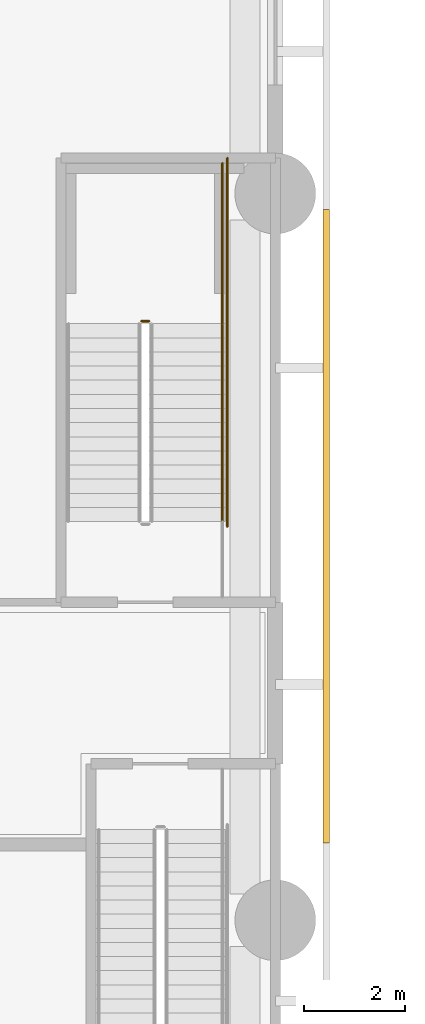
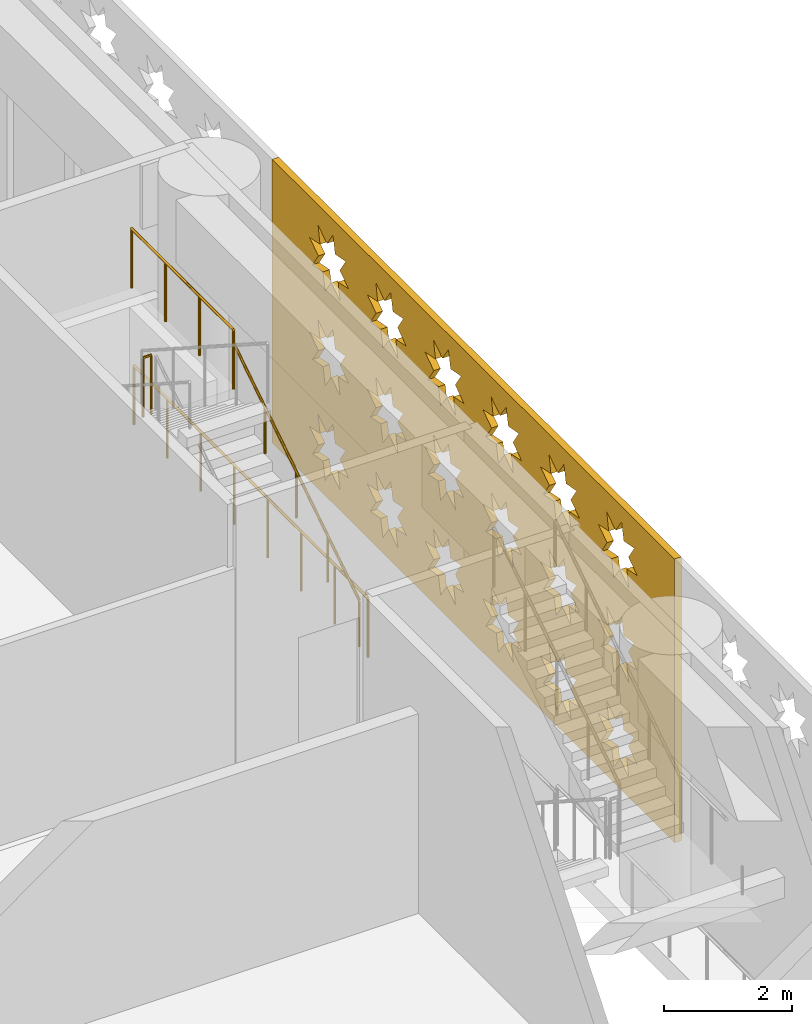
# One storey, part 23 of 30: 4 railings, 1 covering.
"""IFC4 building model written with IfcOpenShell, lengths in metres."""

import ifcopenshell
import ifcopenshell.guid

model = None  # the IFC model being written
_history = None  # IfcOwnerHistory: only IFC2X3 demands one
_inside = {}  # id of a spatial element -> (the spatial element, [elements in it])
_under = {}  # id of a project, library or spatial element -> (it, [spatial elements below it])
_declared = {}  # id of a project -> (the project, [libraries it declares])
_typed = {}  # id of a type object -> (the type object, [elements of that type])
_made_of = {}  # id of a material, layer set ... -> (it, [elements and type objects made of it])


def new_model(schema):
    """Start an empty IFC model of exactly this schema.

    Asked for "IFC4X3", IfcOpenShell would pick the latest addendum, in which some entities
    have other attributes; the version numbers below select the first issue.
    IFC2X3 requires an IfcOwnerHistory on every rooted entity: one is made here for all.
    """
    global model, _history
    if schema == "IFC4X3":
        model = ifcopenshell.file(schema_version=(4, 3, 0, 0))
    else:
        model = ifcopenshell.file(schema=schema)
    _inside.clear()
    _under.clear()
    _declared.clear()
    _typed.clear()
    _made_of.clear()
    _history = None
    if model.schema == "IFC2X3":
        org = make("IfcOrganization", Name="unknown")
        user = make(
            "IfcPersonAndOrganization",
            ThePerson=make("IfcPerson", FamilyName="unknown"),
            TheOrganization=org,
        )
        app = make(
            "IfcApplication",
            ApplicationDeveloper=org,
            Version="unknown",
            ApplicationFullName="unknown",
            ApplicationIdentifier="unknown",
        )
        _history = make(
            "IfcOwnerHistory",
            OwningUser=user,
            OwningApplication=app,
            ChangeAction="ADDED",
            CreationDate=0,
        )
    return model


def make(cls, **values):
    """One entity of the class cls with the attributes given. An attribute that is None is left unset."""
    return model.create_entity(
        cls, **{name: value for name, value in values.items() if value is not None}
    )


def rooted(cls, **values):
    """An entity with a GlobalId (a new one), such as an element, a storey or a relation."""
    return make(cls, GlobalId=ifcopenshell.guid.new(), OwnerHistory=_history, **values)


def si_unit(unit_type, name, prefix=None):
    """IfcSIUnit, for example si_unit("LENGTHUNIT", "METRE", prefix="MILLI")."""
    return make("IfcSIUnit", UnitType=unit_type, Prefix=prefix, Name=name)


def assignment(units):
    """IfcUnitAssignment: the units of a project."""
    return None if units is None else make("IfcUnitAssignment", Units=units)


def point(xyz):
    """IfcCartesianPoint."""
    return None if xyz is None else make("IfcCartesianPoint", Coordinates=xyz)


def direction(xyz):
    """IfcDirection."""
    return None if xyz is None else make("IfcDirection", DirectionRatios=xyz)


def frame(location, z_axis=None, x_axis=None):
    """IfcAxis2Placement3D, a coordinate frame: its origin and axes. An axis left out is left unset."""
    return make(
        "IfcAxis2Placement3D",
        Location=point(location),
        Axis=direction(z_axis),
        RefDirection=direction(x_axis),
    )


def frame_2d(location, x_axis=None):
    """IfcAxis2Placement2D, a coordinate frame in the plane: its origin and x axis."""
    return make(
        "IfcAxis2Placement2D", Location=point(location), RefDirection=direction(x_axis)
    )


def origin():
    """The frame at (0, 0, 0) with its axes left unset."""
    return frame((0.0, 0.0, 0.0))


def origin_2d():
    """The frame at (0, 0) in the plane with its x axis left unset."""
    return frame_2d((0.0, 0.0))


def place(relative_to, where):
    """IfcLocalPlacement: puts the frame where relative to a parent placement (None: the world)."""
    return make(
        "IfcLocalPlacement", PlacementRelTo=relative_to, RelativePlacement=where
    )


def context(
    kind, dimensions, precision=None, world=None, true_north=None, identifier=None
):
    """IfcGeometricRepresentationContext, for example the 3D "Model" context."""
    return make(
        "IfcGeometricRepresentationContext",
        ContextIdentifier=identifier,
        ContextType=kind,
        CoordinateSpaceDimension=dimensions,
        Precision=precision,
        WorldCoordinateSystem=world,
        TrueNorth=true_north,
    )


def subcontext(parent, identifier, kind, view, scale=None):
    """IfcGeometricRepresentationSubContext, for example "Body" below "Model"."""
    return make(
        "IfcGeometricRepresentationSubContext",
        ContextIdentifier=identifier,
        ContextType=kind,
        ParentContext=parent,
        TargetScale=scale,
        TargetView=view,
    )


def project(units=None, contexts=None):
    """IfcProject with its units and contexts."""
    return rooted(
        "IfcProject",
        Name="project",
        RepresentationContexts=contexts,
        UnitsInContext=assignment(units),
    )


def spatial(cls, under=None, at=None, **own):
    """A site, building, storey or space (cls), placed at a placement, below another one or the project."""
    s = rooted(cls, ObjectPlacement=at, **own)
    if under is not None:
        _under.setdefault(under.id(), (under, []))[1].append(s)
    return s


def polyline(points):
    """IfcPolyline through the points."""
    return make("IfcPolyline", Points=[point(p) for p in points])


def profile(cls, at=None, kind="AREA", **sizes):
    """A parametric profile (cls). Its sizes go by their IFC names, for example OverallWidth=200.0."""
    return make(cls, ProfileType=kind, Position=at, **sizes)


def circle(**sizes):
    """IfcCircleProfileDef."""
    return profile("IfcCircleProfileDef", **sizes)


def outline(outer, holes=None, kind="AREA"):
    """IfcArbitraryClosedProfileDef: a profile drawn as a closed curve; with holes, ...WithVoids."""
    if holes is None:
        return make("IfcArbitraryClosedProfileDef", ProfileType=kind, OuterCurve=outer)
    return make(
        "IfcArbitraryProfileDefWithVoids",
        ProfileType=kind,
        OuterCurve=outer,
        InnerCurves=holes,
    )


def extrude(swept, where, along, depth):
    """IfcExtrudedAreaSolid: the profile swept, set in the frame where, extruded along a direction by depth."""
    return make(
        "IfcExtrudedAreaSolid",
        SweptArea=swept,
        Position=where,
        ExtrudedDirection=direction(along),
        Depth=depth,
    )


def shape(context_of_items, identifier, shape_type, items):
    """IfcShapeRepresentation: the items that make up one representation, for example the "Body"."""
    return make(
        "IfcShapeRepresentation",
        ContextOfItems=context_of_items,
        RepresentationIdentifier=identifier,
        RepresentationType=shape_type,
        Items=items,
    )


def material(Name=None, Category=None):
    """IfcMaterial."""
    return make("IfcMaterial", Name=Name, Category=Category)


def layer(
    of_material, thickness, ventilated=None, Name=None, Category=None, Priority=None
):
    """IfcMaterialLayer: one layer of a wall or slab, of a material (None: an air gap)."""
    return make(
        "IfcMaterialLayer",
        Material=of_material,
        LayerThickness=thickness,
        IsVentilated=ventilated,
        Name=Name,
        Category=Category,
        Priority=Priority,
    )


def layer_set(layers, Name=None):
    """IfcMaterialLayerSet."""
    return make("IfcMaterialLayerSet", MaterialLayers=layers, LayerSetName=Name)


def made_of(thing, what):
    """Note that an element or type object is made of a material, layer set ...; save() writes the relation."""
    if what is not None:
        _made_of.setdefault(what.id(), (what, []))[1].append(thing)
    return thing


def type_object(cls, material=None, **own):
    """A type object (cls), such as IfcWallType, which elements share."""
    return made_of(rooted(cls, **own), material)


def element(
    cls,
    number,
    at=None,
    inside=None,
    cuts=None,
    type_object=None,
    material=None,
    context=None,
    identifier="Body",
    shape_type=None,
    held_by="IfcProductDefinitionShape",
    body=None,
    shapes=None,
    **own,
):
    """One element of the class cls, such as IfcWall. Its Tag is "e" and its number.

    at: its placement. inside: the storey or other place that contains it. cuts: it is an
    opening in that element (IfcRelVoidsElement). A single representation is given by context,
    identifier, shape_type and body (its items); several are given by shapes. held_by: the class
    of the entity that holds the representations. save() writes the other relations.
    """
    e = rooted(cls, Tag="e%d" % number, ObjectPlacement=at, **own)
    if body is not None:
        shapes = [shape(context, identifier, shape_type, body)]
    if shapes is not None:
        e.Representation = make(held_by, Representations=shapes)
    if inside is not None:
        _inside.setdefault(inside.id(), (inside, []))[1].append(e)
    if cuts is not None:
        rooted(
            "IfcRelVoidsElement", RelatingBuildingElement=cuts, RelatedOpeningElement=e
        )
    if type_object is not None:
        _typed.setdefault(type_object.id(), (type_object, []))[1].append(e)
    return made_of(e, material)


def aggregate(whole, parts):
    """IfcRelAggregates: a whole, such as a stair, and the parts it consists of."""
    return rooted("IfcRelAggregates", RelatingObject=whole, RelatedObjects=parts)


def save(model, path):
    """Write the relations noted so far, then the file.

    IfcRelAggregates (storeys below a building ...), IfcRelContainedInSpatialStructure (elements
    in a storey), IfcRelDefinesByType, IfcRelAssociatesMaterial and IfcRelDeclares: one each for
    every whole, place, type object, material and project.
    """
    for whole, parts in _under.values():
        aggregate(whole, parts)
    for where, things in _inside.values():
        rooted(
            "IfcRelContainedInSpatialStructure",
            RelatedElements=things,
            RelatingStructure=where,
        )
    for kind, things in _typed.values():
        rooted("IfcRelDefinesByType", RelatedObjects=things, RelatingType=kind)
    for what, things in _made_of.values():
        rooted("IfcRelAssociatesMaterial", RelatedObjects=things, RelatingMaterial=what)
    for by, libraries in _declared.values():
        rooted("IfcRelDeclares", RelatingContext=by, RelatedDefinitions=libraries)
    model.write(path)


model = new_model("IFC4")

# Units and contexts
model_context = context("Model", 3, precision=1e-05, world=origin(), true_north=direction((0.0, 1.0)))
body_context = subcontext(model_context, "Body", "Model", "MODEL_VIEW")
ifc_project = project(units=[si_unit("LENGTHUNIT", "METRE"), si_unit("AREAUNIT", "SQUARE_METRE"), si_unit("VOLUMEUNIT", "CUBIC_METRE"), si_unit("PLANEANGLEUNIT", "RADIAN"), si_unit("MASSUNIT", "GRAM", prefix="KILO")], contexts=[model_context])

# Site, building, storey
site_placement = place(None, origin())
site = spatial("IfcSite", under=ifc_project, at=site_placement, CompositionType="ELEMENT")
building_placement = place(site_placement, origin())
building = spatial("IfcBuilding", under=site, at=building_placement, Name="Saffron Iwan Residences", CompositionType="ELEMENT")
storey_placement = place(building_placement, frame((0.0, 0.0, 7.800048828125)))
storey = spatial("IfcBuildingStorey", under=building, at=storey_placement, Name="L01", CompositionType="ELEMENT", Elevation=7.800048828125)

# Covering
ifc_material_1 = material(Name="Terracotta screen, precast concrete C40/50", Category="masonry")
ifc_layer = layer(ifc_material_1, 0.1201171875)
ifc_layer_set = layer_set([ifc_layer], Name="Terracotta screen, precast concrete C40/50")
covering_type = type_object("IfcCoveringType", Name="PODIUM SCREEN GIRIH", PredefinedType="CLADDING", material=ifc_layer_set)
covering_placement = place(storey_placement, frame((101.75, 49.532958984375, -0.400146484375), z_axis=(1.0, 0.0, 0.0), x_axis=(0.0, 1.0, 0.0)))
element("IfcCovering", 1, at=covering_placement, inside=storey, type_object=covering_type, Name="SCREEN girih terracotta L01 F1.4", PredefinedType="CLADDING", context=body_context, shape_type="SweptSolid", body=[
    extrude(outline(polyline([(0.0, 0.0), (12.545654296875, 0.0), (12.545654296875, 5.39990234375), (0.0, 5.39990234375), (0.0, 0.0)]), holes=[polyline([(2.380859375, 1.02099609375), (2.0556640625, 1.0888671875), (2.1171875, 1.41552734375), (1.839111328125, 1.2333984375), (1.65185546875, 1.508056640625), (1.583984375, 1.1826171875), (1.25732421875, 1.244384765625), (1.439453125, 0.96630859375), (1.164794921875, 0.779052734375), (1.490234375, 0.711181640625), (1.428466796875, 0.384521484375), (1.70654296875, 0.56640625), (1.893798828125, 0.2919921875), (1.9619140625, 0.6171875), (2.288330078125, 0.555419921875), (2.106201171875, 0.833740234375), (2.380859375, 1.02099609375)]), polyline([(2.380859375, 2.821044921875), (2.0556640625, 2.888916015625), (2.1171875, 3.215576171875), (1.839111328125, 3.033447265625), (1.65185546875, 3.30810546875), (1.583984375, 2.982666015625), (1.25732421875, 3.04443359375), (1.439453125, 2.766357421875), (1.164794921875, 2.5791015625), (1.490234375, 2.510986328125), (1.428466796875, 2.1845703125), (1.70654296875, 2.366455078125), (1.893798828125, 2.091796875), (1.9619140625, 2.417236328125), (2.288330078125, 2.35546875), (2.106201171875, 2.6337890625), (2.380859375, 2.821044921875)]), polyline([(2.380859375, 4.62109375), (2.0556640625, 4.68896484375), (2.1171875, 5.015380859375), (1.839111328125, 4.83349609375), (1.65185546875, 5.108154296875), (1.583984375, 4.78271484375), (1.25732421875, 4.844482421875), (1.439453125, 4.56640625), (1.164794921875, 4.37890625), (1.490234375, 4.31103515625), (1.428466796875, 3.984619140625), (1.70654296875, 4.16650390625), (1.893798828125, 3.891845703125), (1.9619140625, 4.21728515625), (2.288330078125, 4.155517578125), (2.106201171875, 4.43359375), (2.380859375, 4.62109375)]), polyline([(4.180908203125, 1.02099609375), (3.855712890625, 1.0888671875), (3.917236328125, 1.41552734375), (3.63916015625, 1.2333984375), (3.451904296875, 1.508056640625), (3.384033203125, 1.1826171875), (3.057373046875, 1.244384765625), (3.239501953125, 0.96630859375), (2.96484375, 0.779052734375), (3.290283203125, 0.711181640625), (3.228515625, 0.384521484375), (3.506591796875, 0.56640625), (3.69384765625, 0.2919921875), (3.76171875, 0.6171875), (4.08837890625, 0.555419921875), (3.90625, 0.833740234375), (4.180908203125, 1.02099609375)]), polyline([(4.180908203125, 2.821044921875), (3.855712890625, 2.888916015625), (3.917236328125, 3.215576171875), (3.63916015625, 3.033447265625), (3.451904296875, 3.30810546875), (3.384033203125, 2.982666015625), (3.057373046875, 3.04443359375), (3.239501953125, 2.766357421875), (2.96484375, 2.5791015625), (3.290283203125, 2.510986328125), (3.228515625, 2.1845703125), (3.506591796875, 2.366455078125), (3.69384765625, 2.091796875), (3.76171875, 2.417236328125), (4.08837890625, 2.35546875), (3.90625, 2.6337890625), (4.180908203125, 2.821044921875)]), polyline([(4.180908203125, 4.62109375), (3.855712890625, 4.68896484375), (3.917236328125, 5.015380859375), (3.63916015625, 4.83349609375), (3.451904296875, 5.108154296875), (3.384033203125, 4.78271484375), (3.057373046875, 4.844482421875), (3.239501953125, 4.56640625), (2.96484375, 4.37890625), (3.290283203125, 4.31103515625), (3.228515625, 3.984619140625), (3.506591796875, 4.16650390625), (3.69384765625, 3.891845703125), (3.76171875, 4.21728515625), (4.08837890625, 4.155517578125), (3.90625, 4.43359375), (4.180908203125, 4.62109375)]), polyline([(5.98095703125, 1.02099609375), (5.655517578125, 1.0888671875), (5.71728515625, 1.41552734375), (5.439208984375, 1.2333984375), (5.251953125, 1.508056640625), (5.18408203125, 1.1826171875), (4.857421875, 1.244384765625), (5.039306640625, 0.96630859375), (4.764892578125, 0.779052734375), (5.090087890625, 0.711181640625), (5.0283203125, 0.384521484375), (5.306396484375, 0.56640625), (5.493896484375, 0.2919921875), (5.561767578125, 0.6171875), (5.888427734375, 0.555419921875), (5.706298828125, 0.833740234375), (5.98095703125, 1.02099609375)]), polyline([(5.98095703125, 2.821044921875), (5.655517578125, 2.888916015625), (5.71728515625, 3.215576171875), (5.439208984375, 3.033447265625), (5.251953125, 3.30810546875), (5.18408203125, 2.982666015625), (4.857421875, 3.04443359375), (5.039306640625, 2.766357421875), (4.764892578125, 2.5791015625), (5.090087890625, 2.510986328125), (5.0283203125, 2.1845703125), (5.306396484375, 2.366455078125), (5.493896484375, 2.091796875), (5.561767578125, 2.417236328125), (5.888427734375, 2.35546875), (5.706298828125, 2.6337890625), (5.98095703125, 2.821044921875)]), polyline([(5.98095703125, 4.62109375), (5.655517578125, 4.68896484375), (5.71728515625, 5.015380859375), (5.439208984375, 4.83349609375), (5.251953125, 5.108154296875), (5.18408203125, 4.78271484375), (4.857421875, 4.844482421875), (5.039306640625, 4.56640625), (4.764892578125, 4.37890625), (5.090087890625, 4.31103515625), (5.0283203125, 3.984619140625), (5.306396484375, 4.16650390625), (5.493896484375, 3.891845703125), (5.561767578125, 4.21728515625), (5.888427734375, 4.155517578125), (5.706298828125, 4.43359375), (5.98095703125, 4.62109375)]), polyline([(7.781005859375, 1.02099609375), (7.45556640625, 1.0888671875), (7.517333984375, 1.41552734375), (7.2392578125, 1.2333984375), (7.052001953125, 1.508056640625), (6.98388671875, 1.1826171875), (6.6572265625, 1.244384765625), (6.83935546875, 0.96630859375), (6.564697265625, 0.779052734375), (6.89013671875, 0.711181640625), (6.828369140625, 0.384521484375), (7.1064453125, 0.56640625), (7.293701171875, 0.2919921875), (7.36181640625, 0.6171875), (7.6884765625, 0.555419921875), (7.50634765625, 0.833740234375), (7.781005859375, 1.02099609375)]), polyline([(7.781005859375, 2.821044921875), (7.45556640625, 2.888916015625), (7.517333984375, 3.215576171875), (7.2392578125, 3.033447265625), (7.052001953125, 3.30810546875), (6.98388671875, 2.982666015625), (6.6572265625, 3.04443359375), (6.83935546875, 2.766357421875), (6.564697265625, 2.5791015625), (6.89013671875, 2.510986328125), (6.828369140625, 2.1845703125), (7.1064453125, 2.366455078125), (7.293701171875, 2.091796875), (7.36181640625, 2.417236328125), (7.6884765625, 2.35546875), (7.50634765625, 2.6337890625), (7.781005859375, 2.821044921875)]), polyline([(7.781005859375, 4.62109375), (7.45556640625, 4.68896484375), (7.517333984375, 5.015380859375), (7.2392578125, 4.83349609375), (7.052001953125, 5.108154296875), (6.98388671875, 4.78271484375), (6.6572265625, 4.844482421875), (6.83935546875, 4.56640625), (6.564697265625, 4.37890625), (6.89013671875, 4.31103515625), (6.828369140625, 3.984619140625), (7.1064453125, 4.16650390625), (7.293701171875, 3.891845703125), (7.36181640625, 4.21728515625), (7.6884765625, 4.155517578125), (7.50634765625, 4.43359375), (7.781005859375, 4.62109375)]), polyline([(9.580810546875, 1.02099609375), (9.255615234375, 1.0888671875), (9.3173828125, 1.41552734375), (9.039306640625, 1.2333984375), (8.851806640625, 1.508056640625), (8.783935546875, 1.1826171875), (8.457275390625, 1.244384765625), (8.639404296875, 0.96630859375), (8.36474609375, 0.779052734375), (8.690185546875, 0.711181640625), (8.62841796875, 0.384521484375), (8.906494140625, 0.56640625), (9.09375, 0.2919921875), (9.161865234375, 0.6171875), (9.48828125, 0.555419921875), (9.306396484375, 0.833740234375), (9.580810546875, 1.02099609375)]), polyline([(9.580810546875, 2.821044921875), (9.255615234375, 2.888916015625), (9.3173828125, 3.215576171875), (9.039306640625, 3.033447265625), (8.851806640625, 3.30810546875), (8.783935546875, 2.982666015625), (8.457275390625, 3.04443359375), (8.639404296875, 2.766357421875), (8.36474609375, 2.5791015625), (8.690185546875, 2.510986328125), (8.62841796875, 2.1845703125), (8.906494140625, 2.366455078125), (9.09375, 2.091796875), (9.161865234375, 2.417236328125), (9.48828125, 2.35546875), (9.306396484375, 2.6337890625), (9.580810546875, 2.821044921875)]), polyline([(9.580810546875, 4.62109375), (9.255615234375, 4.68896484375), (9.3173828125, 5.015380859375), (9.039306640625, 4.83349609375), (8.851806640625, 5.108154296875), (8.783935546875, 4.78271484375), (8.457275390625, 4.844482421875), (8.639404296875, 4.56640625), (8.36474609375, 4.37890625), (8.690185546875, 4.31103515625), (8.62841796875, 3.984619140625), (8.906494140625, 4.16650390625), (9.09375, 3.891845703125), (9.161865234375, 4.21728515625), (9.48828125, 4.155517578125), (9.306396484375, 4.43359375), (9.580810546875, 4.62109375)]), polyline([(11.380859375, 1.02099609375), (11.0556640625, 1.0888671875), (11.1171875, 1.41552734375), (10.839111328125, 1.2333984375), (10.65185546875, 1.508056640625), (10.583984375, 1.1826171875), (10.25732421875, 1.244384765625), (10.439453125, 0.96630859375), (10.164794921875, 0.779052734375), (10.490234375, 0.711181640625), (10.428466796875, 0.384521484375), (10.70654296875, 0.56640625), (10.893798828125, 0.2919921875), (10.9619140625, 0.6171875), (11.288330078125, 0.555419921875), (11.106201171875, 0.833740234375), (11.380859375, 1.02099609375)]), polyline([(11.380859375, 2.821044921875), (11.0556640625, 2.888916015625), (11.1171875, 3.215576171875), (10.839111328125, 3.033447265625), (10.65185546875, 3.30810546875), (10.583984375, 2.982666015625), (10.25732421875, 3.04443359375), (10.439453125, 2.766357421875), (10.164794921875, 2.5791015625), (10.490234375, 2.510986328125), (10.428466796875, 2.1845703125), (10.70654296875, 2.366455078125), (10.893798828125, 2.091796875), (10.9619140625, 2.417236328125), (11.288330078125, 2.35546875), (11.106201171875, 2.6337890625), (11.380859375, 2.821044921875)]), polyline([(11.380859375, 4.62109375), (11.0556640625, 4.68896484375), (11.1171875, 5.015380859375), (10.839111328125, 4.83349609375), (10.65185546875, 5.108154296875), (10.583984375, 4.78271484375), (10.25732421875, 4.844482421875), (10.439453125, 4.56640625), (10.164794921875, 4.37890625), (10.490234375, 4.31103515625), (10.428466796875, 3.984619140625), (10.70654296875, 4.16650390625), (10.893798828125, 3.891845703125), (10.9619140625, 4.21728515625), (11.288330078125, 4.155517578125), (11.106201171875, 4.43359375), (11.380859375, 4.62109375)])]), origin(), (0.0, 0.0, 1.0), 0.1201171875),
])

# Railings
ifc_material_2 = material(Name="Steel S355", Category="steel")
railing_type_1 = type_object("IfcRailingType", Name="Podium stair guard 1150", PredefinedType="GUARDRAIL", material=ifc_material_2)
railing_1_placement = place(storey_placement, frame((98.300048828125, 59.8701171875, 2.699951171875)))
element("IfcRailing", 2, at=railing_1_placement, inside=storey, type_object=railing_type_1, Name="L01 PS4 stair guard 2", PredefinedType="GUARDRAIL", context=body_context, shape_type="SweptSolid", body=[
    extrude(circle(Radius=0.02392578125, at=origin_2d()), frame((0.0, 0.0, 1.1259765625), z_axis=(-1.0, 0.0, 0.0), x_axis=(0.0, -1.0, 0.0)), (0.0, 0.0, 1.0), 0.150146484375),
    extrude(circle(Radius=0.02099609375, at=origin_2d()), origin(), (0.0, 0.0, 1.0), 1.101806640625),
    extrude(circle(Radius=0.02099609375, at=origin_2d()), frame((-0.150146484375, 0.0, 0.0)), (0.0, 0.0, 1.0), 1.101806640625),
])
railing_2_placement = place(storey_placement, frame((99.75, 59.820068359375, 2.699951171875)))
element("IfcRailing", 3, at=railing_2_placement, inside=storey, type_object=railing_type_1, Name="L01 PS4 stair guard 3", PredefinedType="GUARDRAIL", context=body_context, shape_type="SweptSolid", body=[
    extrude(circle(Radius=0.02392578125, at=origin_2d()), frame((0.0, 0.0, 1.1259765625), z_axis=(0.0, 1.0, 0.0), x_axis=(-1.0, 0.0, 0.0)), (0.0, 0.0, 1.0), 3.179931640625),
    extrude(circle(Radius=0.02099609375, at=origin_2d()), origin(), (0.0, 0.0, 1.0), 1.101806640625),
    extrude(circle(Radius=0.02099609375, at=origin_2d()), frame((0.0, 1.06005859375, 0.0)), (0.0, 0.0, 1.0), 1.101806640625),
    extrude(circle(Radius=0.02099609375, at=origin_2d()), frame((0.0, 2.119873046875, 0.0)), (0.0, 0.0, 1.0), 1.101806640625),
    extrude(circle(Radius=0.02099609375, at=origin_2d()), frame((0.0, 3.179931640625, 0.0)), (0.0, 0.0, 1.0), 1.101806640625),
])
railing_3_placement = place(storey_placement, frame((99.85009765625, 55.800048828125, 0.0)))
element("IfcRailing", 4, at=railing_3_placement, inside=storey, type_object=railing_type_1, Name="L01 PS4 stair guard 7", PredefinedType="GUARDRAIL", context=body_context, shape_type="SweptSolid", body=[
    extrude(circle(Radius=0.02392578125, at=origin_2d()), frame((0.0, 0.0, 1.1259765625), z_axis=(0.0, 1.0, 0.0), x_axis=(-1.0, 0.0, 0.0)), (0.0, 0.0, 1.0), 7.300048828125),
    extrude(circle(Radius=0.02099609375, at=origin_2d()), origin(), (0.0, 0.0, 1.0), 1.101806640625),
    extrude(circle(Radius=0.02099609375, at=origin_2d()), frame((0.0, 1.04296875, 0.0)), (0.0, 0.0, 1.0), 1.101806640625),
    extrude(circle(Radius=0.02099609375, at=origin_2d()), frame((0.0, 2.085693359375, 0.0)), (0.0, 0.0, 1.0), 1.101806640625),
    extrude(circle(Radius=0.02099609375, at=origin_2d()), frame((0.0, 3.128662109375, 0.0)), (0.0, 0.0, 1.0), 1.101806640625),
    extrude(circle(Radius=0.02099609375, at=origin_2d()), frame((0.0, 4.17138671875, 0.0)), (0.0, 0.0, 1.0), 1.101806640625),
    extrude(circle(Radius=0.02099609375, at=origin_2d()), frame((0.0, 5.21435546875, 0.0)), (0.0, 0.0, 1.0), 1.101806640625),
    extrude(circle(Radius=0.02099609375, at=origin_2d()), frame((0.0, 6.257080078125, 0.0)), (0.0, 0.0, 1.0), 1.101806640625),
    extrude(circle(Radius=0.02099609375, at=origin_2d()), frame((0.0, 7.300048828125, 0.0)), (0.0, 0.0, 1.0), 1.101806640625),
])
railing_type_2 = type_object("IfcRailingType", Name="Podium stair handrail 900", PredefinedType="HANDRAIL", material=ifc_material_2)
railing_4_placement = place(storey_placement, frame((99.75, 55.89990234375, 0.179931640625)))
element("IfcRailing", 5, at=railing_4_placement, inside=storey, type_object=railing_type_2, Name="L01 PS4 stair handrail 1", PredefinedType="HANDRAIL", context=body_context, shape_type="SweptSolid", body=[
    extrude(circle(Radius=0.02392578125, at=origin_2d()), frame((0.0, 0.0, 0.8759765625), z_axis=(0.0, 0.841186985886, 0.540744352514), x_axis=(-1.0, 0.0, 0.0)), (0.0, 0.0, 1.0), 4.660400390625),
    extrude(circle(Radius=0.02099609375, at=origin_2d()), origin(), (0.0, 0.0, 1.0), 0.851806640625),
    extrude(circle(Radius=0.02099609375, at=origin_2d()), frame((0.0, 0.97998046875, 0.6298828125)), (0.0, 0.0, 1.0), 0.851806640625),
    extrude(circle(Radius=0.02099609375, at=origin_2d()), frame((0.0, 1.9599609375, 1.260009765625)), (0.0, 0.0, 1.0), 0.851806640625),
    extrude(circle(Radius=0.02099609375, at=origin_2d()), frame((0.0, 2.940185546875, 1.89013671875)), (0.0, 0.0, 1.0), 0.851806640625),
    extrude(circle(Radius=0.02099609375, at=origin_2d()), frame((0.0, 3.920166015625, 2.52001953125)), (0.0, 0.0, 1.0), 0.851806640625),
])

save(model, "model.ifc")
